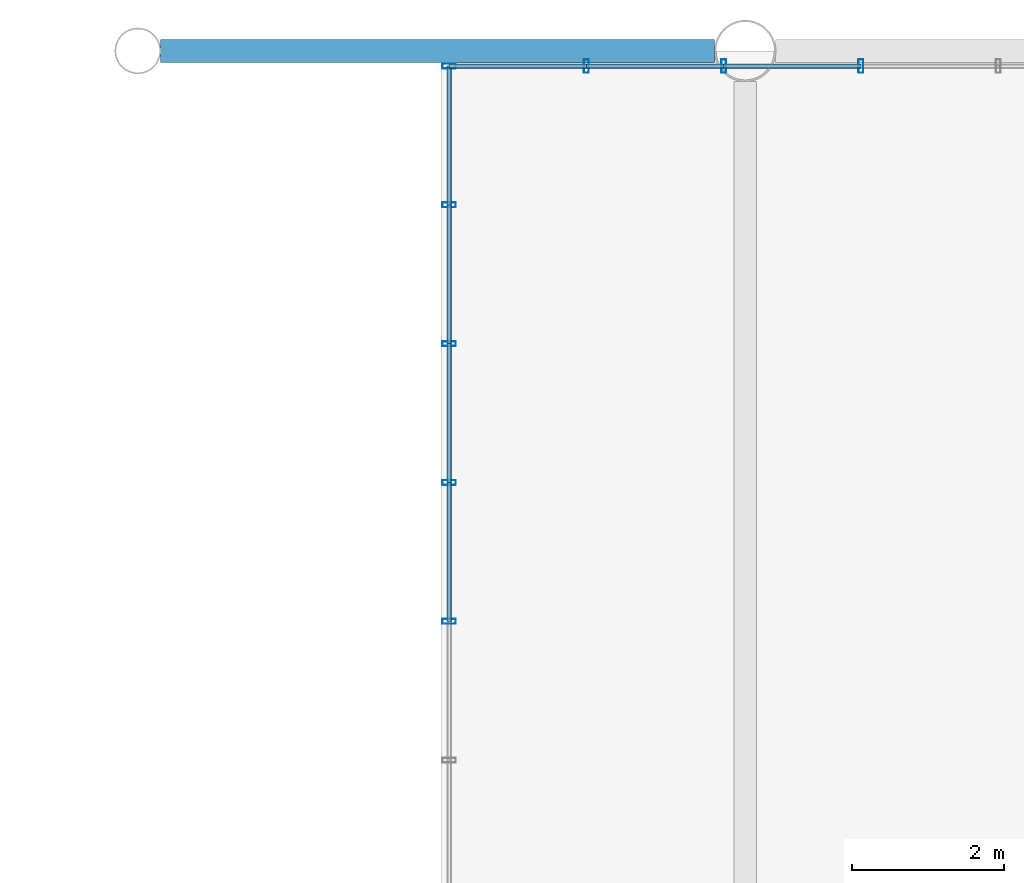
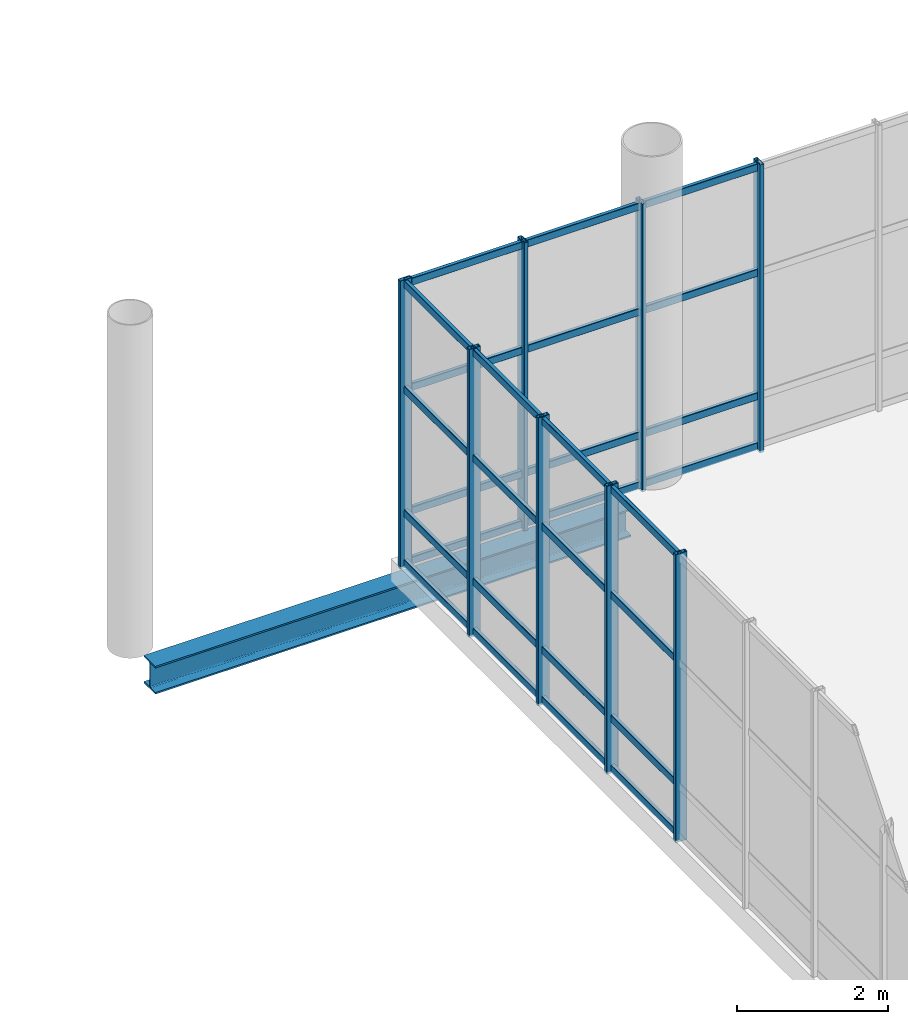
# One storey, part 104 of 176: 36 members, 1 beam, 2 elements without a shape of their own.
"""IFC4 building model written with IfcOpenShell, lengths in metres."""

from ifc_helpers import new_model, si_unit, direction, frame, origin, origin_2d, place, context, subcontext, project, spatial, hollow_rectangle, i_section, extrude, material, layer, layer_set, material_profile, profile_set, type_object, element, aggregate, save


model = new_model("IFC4")

# Units and contexts
model_context = context("Model", 3, precision=1e-05, world=origin(), true_north=direction((0.0, 1.0)))
body_context = subcontext(model_context, "Body", "Model", "MODEL_VIEW")
ifc_project = project(units=[si_unit("LENGTHUNIT", "METRE"), si_unit("AREAUNIT", "SQUARE_METRE"), si_unit("VOLUMEUNIT", "CUBIC_METRE"), si_unit("PLANEANGLEUNIT", "RADIAN"), si_unit("MASSUNIT", "GRAM", prefix="KILO")], contexts=[model_context])

# Site, building, storey
site_placement = place(None, origin())
site = spatial("IfcSite", under=ifc_project, at=site_placement, CompositionType="ELEMENT")
building_placement = place(site_placement, origin())
building = spatial("IfcBuilding", under=site, at=building_placement, Name="Khorjan Park Terminus", CompositionType="ELEMENT")
storey_placement = place(building_placement, frame((0.0, 0.0, 6.0)))
storey = spatial("IfcBuildingStorey", under=building, at=storey_placement, Name="L01", CompositionType="ELEMENT", Elevation=6.0)

# Beam
ifc_material_1 = material(Name="Steel S355", Category="steel")
ifc_material_profile_1 = material_profile(ifc_material_1, i_section(OverallWidth=0.3, OverallDepth=0.45, WebThickness=0.014, FlangeThickness=0.026, FilletRadius=0.027, at=origin_2d()), Name="HEB 450")
ifc_profile_set_1 = profile_set([ifc_material_profile_1], Name="Steel S355")
beam_type = type_object("IfcBeamType", Name="BM-HEB450", PredefinedType="BEAM", material=ifc_profile_set_1)
beam_placement = place(storey_placement, frame((48.3, 154.0, -0.585), z_axis=(1.0, 0.0, 0.0), x_axis=(0.0, 1.0, 0.0)))
element("IfcBeam", 1, at=beam_placement, inside=storey, type_object=beam_type, Name="Primary floor girder SB-B45 (L01)", PredefinedType="BEAM", context=body_context, shape_type="SweptSolid", body=[
    extrude(i_section(OverallWidth=0.3, OverallDepth=0.45, WebThickness=0.014, FlangeThickness=0.026, FilletRadius=0.027, at=origin_2d()), origin(), (0.0, 0.0, 1.0), 7.2985),
])

# Curtain wall, members
ifc_material_2 = material(Name="Anodized Bronze Aluminium", Category="aluminium")
ifc_layer = layer(ifc_material_2, 0.22)
ifc_layer_set = layer_set([ifc_layer], Name="Anodized Bronze Aluminium")
curtain_wall_type = type_object("IfcCurtainWallType", Name="CW-BRG-D", PredefinedType="NOTDEFINED", material=ifc_layer_set)
curtain_wall_1_placement = place(storey_placement, origin())
curtain_wall_1 = element("IfcCurtainWall", 2, at=curtain_wall_1_placement, inside=storey, type_object=curtain_wall_type, Name="Unitized curtain wall CW-D (CW-BRW-W-4)", PredefinedType="NOTDEFINED")
ifc_material_profile_2 = material_profile(ifc_material_2, hollow_rectangle(XDim=0.065, YDim=0.18, WallThickness=0.004, InnerFilletRadius=0.004, OuterFilletRadius=0.008, at=origin_2d()), Name="ALM 65x180x4")
ifc_profile_set_2 = profile_set([ifc_material_profile_2], Name="Anodized Bronze Aluminium")
member_type_1 = type_object("IfcMemberType", Name="ML-ALM-180", PredefinedType="MULLION", material=ifc_profile_set_2)
member_1_placement = place(storey_placement, frame((52.1, 153.8, -0.035), z_axis=(0.0, 0.0, 1.0), x_axis=(0.0, -1.0, 0.0)))
member_1 = element("IfcMember", 3, at=member_1_placement, type_object=member_type_1, Name="Curtain-wall mullion ML-18 (CW-BRW-W-4-0)", PredefinedType="MULLION", context=body_context, shape_type="SweptSolid", body=[
    extrude(hollow_rectangle(XDim=0.065, YDim=0.18, WallThickness=0.004, InnerFilletRadius=0.004, OuterFilletRadius=0.008, at=origin_2d()), origin(), (0.0, 0.0, 1.0), 4.67),
])
member_2_placement = place(storey_placement, frame((52.1, 151.9714, -0.035), z_axis=(0.0, 0.0, 1.0), x_axis=(0.0, -1.0, 0.0)))
member_2 = element("IfcMember", 4, at=member_2_placement, type_object=member_type_1, Name="Curtain-wall mullion ML-18 (CW-BRW-W-4-1)", PredefinedType="MULLION", context=body_context, shape_type="SweptSolid", body=[
    extrude(hollow_rectangle(XDim=0.065, YDim=0.18, WallThickness=0.004, InnerFilletRadius=0.004, OuterFilletRadius=0.008, at=origin_2d()), origin(), (0.0, 0.0, 1.0), 4.67),
])
member_3_placement = place(storey_placement, frame((52.1, 150.1429, -0.035), z_axis=(0.0, 0.0, 1.0), x_axis=(0.0, -1.0, 0.0)))
member_3 = element("IfcMember", 5, at=member_3_placement, type_object=member_type_1, Name="Curtain-wall mullion ML-18 (CW-BRW-W-4-2)", PredefinedType="MULLION", context=body_context, shape_type="SweptSolid", body=[
    extrude(hollow_rectangle(XDim=0.065, YDim=0.18, WallThickness=0.004, InnerFilletRadius=0.004, OuterFilletRadius=0.008, at=origin_2d()), origin(), (0.0, 0.0, 1.0), 4.67),
])
member_4_placement = place(storey_placement, frame((52.1, 148.3143, -0.035), z_axis=(0.0, 0.0, 1.0), x_axis=(0.0, -1.0, 0.0)))
member_4 = element("IfcMember", 6, at=member_4_placement, type_object=member_type_1, Name="Curtain-wall mullion ML-18 (CW-BRW-W-4-3)", PredefinedType="MULLION", context=body_context, shape_type="SweptSolid", body=[
    extrude(hollow_rectangle(XDim=0.065, YDim=0.18, WallThickness=0.004, InnerFilletRadius=0.004, OuterFilletRadius=0.008, at=origin_2d()), origin(), (0.0, 0.0, 1.0), 4.67),
])
member_5_placement = place(storey_placement, frame((52.1, 146.4857, -0.035), z_axis=(0.0, 0.0, 1.0), x_axis=(0.0, -1.0, 0.0)))
member_5 = element("IfcMember", 7, at=member_5_placement, type_object=member_type_1, Name="Curtain-wall mullion ML-18 (CW-BRW-W-4-4)", PredefinedType="MULLION", context=body_context, shape_type="SweptSolid", body=[
    extrude(hollow_rectangle(XDim=0.065, YDim=0.18, WallThickness=0.004, InnerFilletRadius=0.004, OuterFilletRadius=0.008, at=origin_2d()), origin(), (0.0, 0.0, 1.0), 4.67),
])

curtain_wall_2_placement = place(storey_placement, origin())
curtain_wall_2 = element("IfcCurtainWall", 8, at=curtain_wall_2_placement, inside=storey, type_object=curtain_wall_type, Name="Unitized curtain wall CW-D (CW-BRW-N)", PredefinedType="NOTDEFINED")
member_6_placement = place(storey_placement, frame((57.525, 153.8, -0.035), z_axis=(0.0, 0.0, 1.0), x_axis=(-1.0, 0.0, 0.0)))
member_6 = element("IfcMember", 9, at=member_6_placement, type_object=member_type_1, Name="Curtain-wall mullion ML-18 (CW-BRW-N-9)", PredefinedType="MULLION", context=body_context, shape_type="SweptSolid", body=[
    extrude(hollow_rectangle(XDim=0.065, YDim=0.18, WallThickness=0.004, InnerFilletRadius=0.004, OuterFilletRadius=0.008, at=origin_2d()), origin(), (0.0, 0.0, 1.0), 4.67),
])
member_7_placement = place(storey_placement, frame((55.7167, 153.8, -0.035), z_axis=(0.0, 0.0, 1.0), x_axis=(-1.0, 0.0, 0.0)))
member_7 = element("IfcMember", 10, at=member_7_placement, type_object=member_type_1, Name="Curtain-wall mullion ML-18 (CW-BRW-N-10)", PredefinedType="MULLION", context=body_context, shape_type="SweptSolid", body=[
    extrude(hollow_rectangle(XDim=0.065, YDim=0.18, WallThickness=0.004, InnerFilletRadius=0.004, OuterFilletRadius=0.008, at=origin_2d()), origin(), (0.0, 0.0, 1.0), 4.67),
])
member_8_placement = place(storey_placement, frame((53.9083, 153.8, -0.035), z_axis=(0.0, 0.0, 1.0), x_axis=(-1.0, 0.0, 0.0)))
member_8 = element("IfcMember", 11, at=member_8_placement, type_object=member_type_1, Name="Curtain-wall mullion ML-18 (CW-BRW-N-11)", PredefinedType="MULLION", context=body_context, shape_type="SweptSolid", body=[
    extrude(hollow_rectangle(XDim=0.065, YDim=0.18, WallThickness=0.004, InnerFilletRadius=0.004, OuterFilletRadius=0.008, at=origin_2d()), origin(), (0.0, 0.0, 1.0), 4.67),
])

# Member
ifc_material_profile_3 = material_profile(ifc_material_2, hollow_rectangle(XDim=0.06, YDim=0.12, WallThickness=0.004, InnerFilletRadius=0.004, OuterFilletRadius=0.008, at=origin_2d()), Name="ALT 60x120x4")
ifc_profile_set_3 = profile_set([ifc_material_profile_3], Name="Anodized Bronze Aluminium")
member_type_2 = type_object("IfcMemberType", Name="TR-ALT-120", PredefinedType="USERDEFINED", material=ifc_profile_set_3)
member_9_placement = place(storey_placement, frame((52.1, 153.8, 0.04), z_axis=(0.0, -1.0, 0.0), x_axis=(1.0, 0.0, 0.0)))
member_9 = element("IfcMember", 12, at=member_9_placement, type_object=member_type_2, Name="Curtain-wall transom TR-12 (CW-BRW-W-4-0-1)", ObjectType="TRANSOM", PredefinedType="USERDEFINED", context=body_context, shape_type="SweptSolid", body=[
    extrude(hollow_rectangle(XDim=0.06, YDim=0.12, WallThickness=0.004, InnerFilletRadius=0.004, OuterFilletRadius=0.008, at=origin_2d()), origin(), (0.0, 0.0, 1.0), 1.8286),
])

member_10_placement = place(storey_placement, frame((52.1, 153.8, 0.85), z_axis=(0.0, -1.0, 0.0), x_axis=(1.0, 0.0, 0.0)))
member_10 = element("IfcMember", 13, at=member_10_placement, type_object=member_type_2, Name="Curtain-wall transom TR-12 (CW-BRW-W-4-0-2)", ObjectType="TRANSOM", PredefinedType="USERDEFINED", context=body_context, shape_type="SweptSolid", body=[
    extrude(hollow_rectangle(XDim=0.06, YDim=0.12, WallThickness=0.004, InnerFilletRadius=0.004, OuterFilletRadius=0.008, at=origin_2d()), origin(), (0.0, 0.0, 1.0), 1.8286),
])

member_11_placement = place(storey_placement, frame((52.1, 153.8, 2.852), z_axis=(0.0, -1.0, 0.0), x_axis=(1.0, 0.0, 0.0)))
member_11 = element("IfcMember", 14, at=member_11_placement, type_object=member_type_2, Name="Curtain-wall transom TR-12 (CW-BRW-W-4-0-3)", ObjectType="TRANSOM", PredefinedType="USERDEFINED", context=body_context, shape_type="SweptSolid", body=[
    extrude(hollow_rectangle(XDim=0.06, YDim=0.12, WallThickness=0.004, InnerFilletRadius=0.004, OuterFilletRadius=0.008, at=origin_2d()), origin(), (0.0, 0.0, 1.0), 1.8286),
])

member_12_placement = place(storey_placement, frame((52.1, 153.8, 4.56), z_axis=(0.0, -1.0, 0.0), x_axis=(1.0, 0.0, 0.0)))
member_12 = element("IfcMember", 15, at=member_12_placement, type_object=member_type_2, Name="Curtain-wall transom TR-12 (CW-BRW-W-4-0-4)", ObjectType="TRANSOM", PredefinedType="USERDEFINED", context=body_context, shape_type="SweptSolid", body=[
    extrude(hollow_rectangle(XDim=0.06, YDim=0.12, WallThickness=0.004, InnerFilletRadius=0.004, OuterFilletRadius=0.008, at=origin_2d()), origin(), (0.0, 0.0, 1.0), 1.8286),
])

member_13_placement = place(storey_placement, frame((52.1, 151.9714, 0.04), z_axis=(0.0, -1.0, 0.0), x_axis=(1.0, 0.0, 0.0)))
member_13 = element("IfcMember", 16, at=member_13_placement, type_object=member_type_2, Name="Curtain-wall transom TR-12 (CW-BRW-W-4-1-1)", ObjectType="TRANSOM", PredefinedType="USERDEFINED", context=body_context, shape_type="SweptSolid", body=[
    extrude(hollow_rectangle(XDim=0.06, YDim=0.12, WallThickness=0.004, InnerFilletRadius=0.004, OuterFilletRadius=0.008, at=origin_2d()), origin(), (0.0, 0.0, 1.0), 1.8285),
])

member_14_placement = place(storey_placement, frame((52.1, 151.9714, 0.85), z_axis=(0.0, -1.0, 0.0), x_axis=(1.0, 0.0, 0.0)))
member_14 = element("IfcMember", 17, at=member_14_placement, type_object=member_type_2, Name="Curtain-wall transom TR-12 (CW-BRW-W-4-1-2)", ObjectType="TRANSOM", PredefinedType="USERDEFINED", context=body_context, shape_type="SweptSolid", body=[
    extrude(hollow_rectangle(XDim=0.06, YDim=0.12, WallThickness=0.004, InnerFilletRadius=0.004, OuterFilletRadius=0.008, at=origin_2d()), origin(), (0.0, 0.0, 1.0), 1.8285),
])

member_15_placement = place(storey_placement, frame((52.1, 151.9714, 2.852), z_axis=(0.0, -1.0, 0.0), x_axis=(1.0, 0.0, 0.0)))
member_15 = element("IfcMember", 18, at=member_15_placement, type_object=member_type_2, Name="Curtain-wall transom TR-12 (CW-BRW-W-4-1-3)", ObjectType="TRANSOM", PredefinedType="USERDEFINED", context=body_context, shape_type="SweptSolid", body=[
    extrude(hollow_rectangle(XDim=0.06, YDim=0.12, WallThickness=0.004, InnerFilletRadius=0.004, OuterFilletRadius=0.008, at=origin_2d()), origin(), (0.0, 0.0, 1.0), 1.8285),
])

member_16_placement = place(storey_placement, frame((52.1, 151.9714, 4.56), z_axis=(0.0, -1.0, 0.0), x_axis=(1.0, 0.0, 0.0)))
member_16 = element("IfcMember", 19, at=member_16_placement, type_object=member_type_2, Name="Curtain-wall transom TR-12 (CW-BRW-W-4-1-4)", ObjectType="TRANSOM", PredefinedType="USERDEFINED", context=body_context, shape_type="SweptSolid", body=[
    extrude(hollow_rectangle(XDim=0.06, YDim=0.12, WallThickness=0.004, InnerFilletRadius=0.004, OuterFilletRadius=0.008, at=origin_2d()), origin(), (0.0, 0.0, 1.0), 1.8285),
])

member_17_placement = place(storey_placement, frame((52.1, 150.1429, 0.04), z_axis=(0.0, -1.0, 0.0), x_axis=(1.0, 0.0, 0.0)))
member_17 = element("IfcMember", 20, at=member_17_placement, type_object=member_type_2, Name="Curtain-wall transom TR-12 (CW-BRW-W-4-2-1)", ObjectType="TRANSOM", PredefinedType="USERDEFINED", context=body_context, shape_type="SweptSolid", body=[
    extrude(hollow_rectangle(XDim=0.06, YDim=0.12, WallThickness=0.004, InnerFilletRadius=0.004, OuterFilletRadius=0.008, at=origin_2d()), origin(), (0.0, 0.0, 1.0), 1.8286),
])

member_18_placement = place(storey_placement, frame((52.1, 150.1429, 0.85), z_axis=(0.0, -1.0, 0.0), x_axis=(1.0, 0.0, 0.0)))
member_18 = element("IfcMember", 21, at=member_18_placement, type_object=member_type_2, Name="Curtain-wall transom TR-12 (CW-BRW-W-4-2-2)", ObjectType="TRANSOM", PredefinedType="USERDEFINED", context=body_context, shape_type="SweptSolid", body=[
    extrude(hollow_rectangle(XDim=0.06, YDim=0.12, WallThickness=0.004, InnerFilletRadius=0.004, OuterFilletRadius=0.008, at=origin_2d()), origin(), (0.0, 0.0, 1.0), 1.8286),
])

member_19_placement = place(storey_placement, frame((52.1, 150.1429, 2.852), z_axis=(0.0, -1.0, 0.0), x_axis=(1.0, 0.0, 0.0)))
member_19 = element("IfcMember", 22, at=member_19_placement, type_object=member_type_2, Name="Curtain-wall transom TR-12 (CW-BRW-W-4-2-3)", ObjectType="TRANSOM", PredefinedType="USERDEFINED", context=body_context, shape_type="SweptSolid", body=[
    extrude(hollow_rectangle(XDim=0.06, YDim=0.12, WallThickness=0.004, InnerFilletRadius=0.004, OuterFilletRadius=0.008, at=origin_2d()), origin(), (0.0, 0.0, 1.0), 1.8286),
])

member_20_placement = place(storey_placement, frame((52.1, 150.1429, 4.56), z_axis=(0.0, -1.0, 0.0), x_axis=(1.0, 0.0, 0.0)))
member_20 = element("IfcMember", 23, at=member_20_placement, type_object=member_type_2, Name="Curtain-wall transom TR-12 (CW-BRW-W-4-2-4)", ObjectType="TRANSOM", PredefinedType="USERDEFINED", context=body_context, shape_type="SweptSolid", body=[
    extrude(hollow_rectangle(XDim=0.06, YDim=0.12, WallThickness=0.004, InnerFilletRadius=0.004, OuterFilletRadius=0.008, at=origin_2d()), origin(), (0.0, 0.0, 1.0), 1.8286),
])

member_21_placement = place(storey_placement, frame((52.1, 148.3143, 0.04), z_axis=(0.0, -1.0, 0.0), x_axis=(1.0, 0.0, 0.0)))
member_21 = element("IfcMember", 24, at=member_21_placement, type_object=member_type_2, Name="Curtain-wall transom TR-12 (CW-BRW-W-4-3-1)", ObjectType="TRANSOM", PredefinedType="USERDEFINED", context=body_context, shape_type="SweptSolid", body=[
    extrude(hollow_rectangle(XDim=0.06, YDim=0.12, WallThickness=0.004, InnerFilletRadius=0.004, OuterFilletRadius=0.008, at=origin_2d()), origin(), (0.0, 0.0, 1.0), 1.8286),
])

member_22_placement = place(storey_placement, frame((52.1, 148.3143, 0.85), z_axis=(0.0, -1.0, 0.0), x_axis=(1.0, 0.0, 0.0)))
member_22 = element("IfcMember", 25, at=member_22_placement, type_object=member_type_2, Name="Curtain-wall transom TR-12 (CW-BRW-W-4-3-2)", ObjectType="TRANSOM", PredefinedType="USERDEFINED", context=body_context, shape_type="SweptSolid", body=[
    extrude(hollow_rectangle(XDim=0.06, YDim=0.12, WallThickness=0.004, InnerFilletRadius=0.004, OuterFilletRadius=0.008, at=origin_2d()), origin(), (0.0, 0.0, 1.0), 1.8286),
])

member_23_placement = place(storey_placement, frame((52.1, 148.3143, 2.852), z_axis=(0.0, -1.0, 0.0), x_axis=(1.0, 0.0, 0.0)))
member_23 = element("IfcMember", 26, at=member_23_placement, type_object=member_type_2, Name="Curtain-wall transom TR-12 (CW-BRW-W-4-3-3)", ObjectType="TRANSOM", PredefinedType="USERDEFINED", context=body_context, shape_type="SweptSolid", body=[
    extrude(hollow_rectangle(XDim=0.06, YDim=0.12, WallThickness=0.004, InnerFilletRadius=0.004, OuterFilletRadius=0.008, at=origin_2d()), origin(), (0.0, 0.0, 1.0), 1.8286),
])

member_24_placement = place(storey_placement, frame((52.1, 148.3143, 4.56), z_axis=(0.0, -1.0, 0.0), x_axis=(1.0, 0.0, 0.0)))
member_24 = element("IfcMember", 27, at=member_24_placement, type_object=member_type_2, Name="Curtain-wall transom TR-12 (CW-BRW-W-4-3-4)", ObjectType="TRANSOM", PredefinedType="USERDEFINED", context=body_context, shape_type="SweptSolid", body=[
    extrude(hollow_rectangle(XDim=0.06, YDim=0.12, WallThickness=0.004, InnerFilletRadius=0.004, OuterFilletRadius=0.008, at=origin_2d()), origin(), (0.0, 0.0, 1.0), 1.8286),
])

aggregate(curtain_wall_1, [member_1, member_2, member_3, member_4, member_5, member_9, member_10, member_11, member_12, member_13, member_14, member_15, member_16, member_17, member_18, member_19, member_20, member_21, member_22, member_23, member_24])

member_25_placement = place(storey_placement, frame((57.525, 153.8, 0.04), z_axis=(-1.0, 0.0, 0.0), x_axis=(0.0, -1.0, 0.0)))
member_25 = element("IfcMember", 28, at=member_25_placement, type_object=member_type_2, Name="Curtain-wall transom TR-12 (CW-BRW-N-9-1)", ObjectType="TRANSOM", PredefinedType="USERDEFINED", context=body_context, shape_type="SweptSolid", body=[
    extrude(hollow_rectangle(XDim=0.06, YDim=0.12, WallThickness=0.004, InnerFilletRadius=0.004, OuterFilletRadius=0.008, at=origin_2d()), origin(), (0.0, 0.0, 1.0), 1.8083),
])

member_26_placement = place(storey_placement, frame((57.525, 153.8, 0.85), z_axis=(-1.0, 0.0, 0.0), x_axis=(0.0, -1.0, 0.0)))
member_26 = element("IfcMember", 29, at=member_26_placement, type_object=member_type_2, Name="Curtain-wall transom TR-12 (CW-BRW-N-9-2)", ObjectType="TRANSOM", PredefinedType="USERDEFINED", context=body_context, shape_type="SweptSolid", body=[
    extrude(hollow_rectangle(XDim=0.06, YDim=0.12, WallThickness=0.004, InnerFilletRadius=0.004, OuterFilletRadius=0.008, at=origin_2d()), origin(), (0.0, 0.0, 1.0), 1.8083),
])

member_27_placement = place(storey_placement, frame((57.525, 153.8, 2.852), z_axis=(-1.0, 0.0, 0.0), x_axis=(0.0, -1.0, 0.0)))
member_27 = element("IfcMember", 30, at=member_27_placement, type_object=member_type_2, Name="Curtain-wall transom TR-12 (CW-BRW-N-9-3)", ObjectType="TRANSOM", PredefinedType="USERDEFINED", context=body_context, shape_type="SweptSolid", body=[
    extrude(hollow_rectangle(XDim=0.06, YDim=0.12, WallThickness=0.004, InnerFilletRadius=0.004, OuterFilletRadius=0.008, at=origin_2d()), origin(), (0.0, 0.0, 1.0), 1.8083),
])

member_28_placement = place(storey_placement, frame((57.525, 153.8, 4.56), z_axis=(-1.0, 0.0, 0.0), x_axis=(0.0, -1.0, 0.0)))
member_28 = element("IfcMember", 31, at=member_28_placement, type_object=member_type_2, Name="Curtain-wall transom TR-12 (CW-BRW-N-9-4)", ObjectType="TRANSOM", PredefinedType="USERDEFINED", context=body_context, shape_type="SweptSolid", body=[
    extrude(hollow_rectangle(XDim=0.06, YDim=0.12, WallThickness=0.004, InnerFilletRadius=0.004, OuterFilletRadius=0.008, at=origin_2d()), origin(), (0.0, 0.0, 1.0), 1.8083),
])

member_29_placement = place(storey_placement, frame((55.7167, 153.8, 0.04), z_axis=(-1.0, 0.0, 0.0), x_axis=(0.0, -1.0, 0.0)))
member_29 = element("IfcMember", 32, at=member_29_placement, type_object=member_type_2, Name="Curtain-wall transom TR-12 (CW-BRW-N-10-1)", ObjectType="TRANSOM", PredefinedType="USERDEFINED", context=body_context, shape_type="SweptSolid", body=[
    extrude(hollow_rectangle(XDim=0.06, YDim=0.12, WallThickness=0.004, InnerFilletRadius=0.004, OuterFilletRadius=0.008, at=origin_2d()), origin(), (0.0, 0.0, 1.0), 1.8084),
])

member_30_placement = place(storey_placement, frame((55.7167, 153.8, 0.85), z_axis=(-1.0, 0.0, 0.0), x_axis=(0.0, -1.0, 0.0)))
member_30 = element("IfcMember", 33, at=member_30_placement, type_object=member_type_2, Name="Curtain-wall transom TR-12 (CW-BRW-N-10-2)", ObjectType="TRANSOM", PredefinedType="USERDEFINED", context=body_context, shape_type="SweptSolid", body=[
    extrude(hollow_rectangle(XDim=0.06, YDim=0.12, WallThickness=0.004, InnerFilletRadius=0.004, OuterFilletRadius=0.008, at=origin_2d()), origin(), (0.0, 0.0, 1.0), 1.8084),
])

member_31_placement = place(storey_placement, frame((55.7167, 153.8, 2.852), z_axis=(-1.0, 0.0, 0.0), x_axis=(0.0, -1.0, 0.0)))
member_31 = element("IfcMember", 34, at=member_31_placement, type_object=member_type_2, Name="Curtain-wall transom TR-12 (CW-BRW-N-10-3)", ObjectType="TRANSOM", PredefinedType="USERDEFINED", context=body_context, shape_type="SweptSolid", body=[
    extrude(hollow_rectangle(XDim=0.06, YDim=0.12, WallThickness=0.004, InnerFilletRadius=0.004, OuterFilletRadius=0.008, at=origin_2d()), origin(), (0.0, 0.0, 1.0), 1.8084),
])

member_32_placement = place(storey_placement, frame((55.7167, 153.8, 4.56), z_axis=(-1.0, 0.0, 0.0), x_axis=(0.0, -1.0, 0.0)))
member_32 = element("IfcMember", 35, at=member_32_placement, type_object=member_type_2, Name="Curtain-wall transom TR-12 (CW-BRW-N-10-4)", ObjectType="TRANSOM", PredefinedType="USERDEFINED", context=body_context, shape_type="SweptSolid", body=[
    extrude(hollow_rectangle(XDim=0.06, YDim=0.12, WallThickness=0.004, InnerFilletRadius=0.004, OuterFilletRadius=0.008, at=origin_2d()), origin(), (0.0, 0.0, 1.0), 1.8084),
])

member_33_placement = place(storey_placement, frame((53.9083, 153.8, 0.04), z_axis=(-1.0, 0.0, 0.0), x_axis=(0.0, -1.0, 0.0)))
member_33 = element("IfcMember", 36, at=member_33_placement, type_object=member_type_2, Name="Curtain-wall transom TR-12 (CW-BRW-N-11-1)", ObjectType="TRANSOM", PredefinedType="USERDEFINED", context=body_context, shape_type="SweptSolid", body=[
    extrude(hollow_rectangle(XDim=0.06, YDim=0.12, WallThickness=0.004, InnerFilletRadius=0.004, OuterFilletRadius=0.008, at=origin_2d()), origin(), (0.0, 0.0, 1.0), 1.8083),
])

member_34_placement = place(storey_placement, frame((53.9083, 153.8, 0.85), z_axis=(-1.0, 0.0, 0.0), x_axis=(0.0, -1.0, 0.0)))
member_34 = element("IfcMember", 37, at=member_34_placement, type_object=member_type_2, Name="Curtain-wall transom TR-12 (CW-BRW-N-11-2)", ObjectType="TRANSOM", PredefinedType="USERDEFINED", context=body_context, shape_type="SweptSolid", body=[
    extrude(hollow_rectangle(XDim=0.06, YDim=0.12, WallThickness=0.004, InnerFilletRadius=0.004, OuterFilletRadius=0.008, at=origin_2d()), origin(), (0.0, 0.0, 1.0), 1.8083),
])

member_35_placement = place(storey_placement, frame((53.9083, 153.8, 2.852), z_axis=(-1.0, 0.0, 0.0), x_axis=(0.0, -1.0, 0.0)))
member_35 = element("IfcMember", 38, at=member_35_placement, type_object=member_type_2, Name="Curtain-wall transom TR-12 (CW-BRW-N-11-3)", ObjectType="TRANSOM", PredefinedType="USERDEFINED", context=body_context, shape_type="SweptSolid", body=[
    extrude(hollow_rectangle(XDim=0.06, YDim=0.12, WallThickness=0.004, InnerFilletRadius=0.004, OuterFilletRadius=0.008, at=origin_2d()), origin(), (0.0, 0.0, 1.0), 1.8083),
])

member_36_placement = place(storey_placement, frame((53.9083, 153.8, 4.56), z_axis=(-1.0, 0.0, 0.0), x_axis=(0.0, -1.0, 0.0)))
member_36 = element("IfcMember", 39, at=member_36_placement, type_object=member_type_2, Name="Curtain-wall transom TR-12 (CW-BRW-N-11-4)", ObjectType="TRANSOM", PredefinedType="USERDEFINED", context=body_context, shape_type="SweptSolid", body=[
    extrude(hollow_rectangle(XDim=0.06, YDim=0.12, WallThickness=0.004, InnerFilletRadius=0.004, OuterFilletRadius=0.008, at=origin_2d()), origin(), (0.0, 0.0, 1.0), 1.8083),
])

aggregate(curtain_wall_2, [member_6, member_7, member_8, member_25, member_26, member_27, member_28, member_29, member_30, member_31, member_32, member_33, member_34, member_35, member_36])

save(model, "model.ifc")
